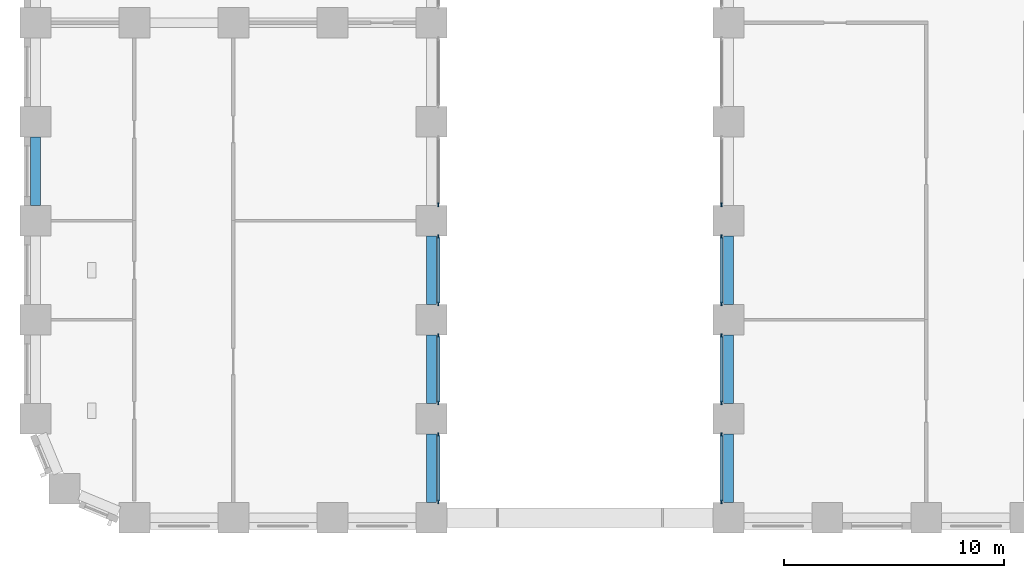
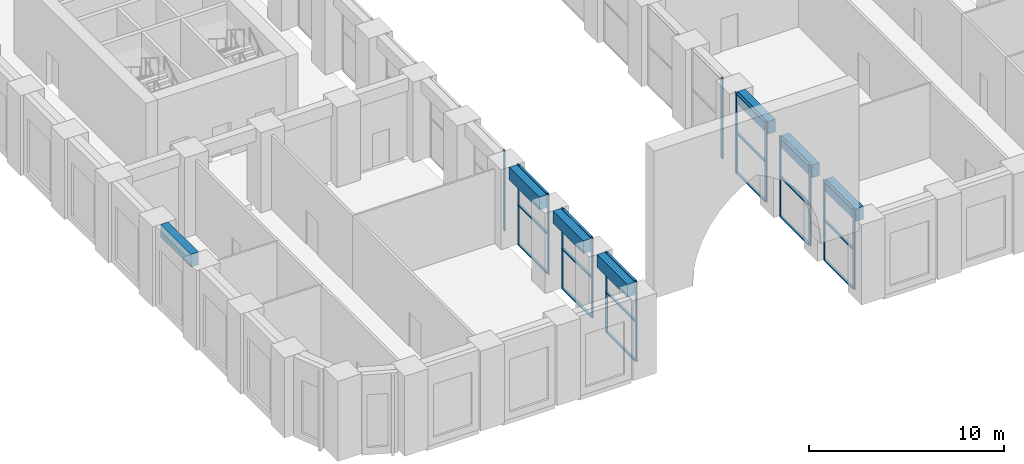
# One storey, part 2 of 25: 32 members, 7 beams, 8 elements without a shape of their own.
"""IFC4 building model written with IfcOpenShell, lengths in metres."""

from ifc_helpers import new_model, si_unit, direction, frame, origin, origin_2d, place, context, subcontext, project, spatial, rectangle, extrude, material, material_profile, profile_set, type_object, element, aggregate, save


model = new_model("IFC4")

# Units and contexts
model_context = context("Model", 3, precision=1e-05, world=origin(), true_north=direction((0.0, 1.0)))
body_context = subcontext(model_context, "Body", "Model", "MODEL_VIEW")
ifc_project = project(units=[si_unit("LENGTHUNIT", "METRE"), si_unit("AREAUNIT", "SQUARE_METRE"), si_unit("VOLUMEUNIT", "CUBIC_METRE"), si_unit("PLANEANGLEUNIT", "RADIAN"), si_unit("MASSUNIT", "GRAM", prefix="KILO")], contexts=[model_context])

# Site, building, storey
site_placement = place(None, origin())
site = spatial("IfcSite", under=ifc_project, at=site_placement, CompositionType="ELEMENT")
building_placement = place(site_placement, origin())
building = spatial("IfcBuilding", under=site, at=building_placement, Name="Girih Gate Residences", CompositionType="ELEMENT")
storey_placement = place(building_placement, frame((0.0, 0.0, 6.0)))
storey = spatial("IfcBuildingStorey", under=building, at=storey_placement, Name="L01", CompositionType="ELEMENT", Elevation=6.0)

# Curtain wall, members
ifc_material_1 = material(Name="Aluminium curtain wall frame", Category="aluminium")
curtain_wall_type = type_object("IfcCurtainWallType", Name="Curtain wall CW-2 podium amenity glazing", PredefinedType="NOTDEFINED", material=ifc_material_1)
curtain_wall_1_placement = place(storey_placement, origin())
curtain_wall_1 = element("IfcCurtainWall", 1, at=curtain_wall_1_placement, inside=storey, type_object=curtain_wall_type, Name="CW-2 Podium amenity glazing E0180_0000.0", PredefinedType="NOTDEFINED")
ifc_material_profile_1 = material_profile(ifc_material_1, rectangle(XDim=0.06005859375, YDim=0.179931640625, at=origin_2d()))
ifc_profile_set_1 = profile_set([ifc_material_profile_1], Name="Aluminium curtain wall frame")
member_type_1 = type_object("IfcMemberType", Name="Curtain wall mullion 60x180", PredefinedType="MULLION", material=ifc_profile_set_1)
member_1_placement = place(storey_placement, frame((18.31494140625, 0.72998046875, 0.0), z_axis=(0.0, 0.0, 1.0), x_axis=(-1.0, 0.0, 0.0)))
member_1 = element("IfcMember", 2, at=member_1_placement, type_object=member_type_1, Name="CW-2 mullion 1", PredefinedType="MULLION", context=body_context, shape_type="SweptSolid", body=[
    extrude(rectangle(XDim=0.06005859375, YDim=0.179931640625, at=origin_2d()), origin(), (0.0, 0.0, 1.0), 5.0),
])
member_2_placement = place(storey_placement, frame((18.31494140625, 3.77001953125, 0.0), z_axis=(0.0, 0.0, 1.0), x_axis=(-1.0, 0.0, 0.0)))
member_2 = element("IfcMember", 3, at=member_2_placement, type_object=member_type_1, Name="CW-2 mullion 2", PredefinedType="MULLION", context=body_context, shape_type="SweptSolid", body=[
    extrude(rectangle(XDim=0.06005859375, YDim=0.179931640625, at=origin_2d()), origin(), (0.0, 0.0, 1.0), 5.0),
])

curtain_wall_2_placement = place(storey_placement, origin())
curtain_wall_2 = element("IfcCurtainWall", 4, at=curtain_wall_2_placement, inside=storey, type_object=curtain_wall_type, Name="CW-2 Podium amenity glazing E0180_0000.1", PredefinedType="NOTDEFINED")
member_3_placement = place(storey_placement, frame((18.31494140625, 5.22998046875, 0.0), z_axis=(0.0, 0.0, 1.0), x_axis=(-1.0, 0.0, 0.0)))
member_3 = element("IfcMember", 5, at=member_3_placement, type_object=member_type_1, Name="CW-2 mullion 1", PredefinedType="MULLION", context=body_context, shape_type="SweptSolid", body=[
    extrude(rectangle(XDim=0.06005859375, YDim=0.179931640625, at=origin_2d()), origin(), (0.0, 0.0, 1.0), 5.0),
])
member_4_placement = place(storey_placement, frame((18.31494140625, 8.27001953125, 0.0), z_axis=(0.0, 0.0, 1.0), x_axis=(-1.0, 0.0, 0.0)))
member_4 = element("IfcMember", 6, at=member_4_placement, type_object=member_type_1, Name="CW-2 mullion 2", PredefinedType="MULLION", context=body_context, shape_type="SweptSolid", body=[
    extrude(rectangle(XDim=0.06005859375, YDim=0.179931640625, at=origin_2d()), origin(), (0.0, 0.0, 1.0), 5.0),
])

curtain_wall_3_placement = place(storey_placement, origin())
curtain_wall_3 = element("IfcCurtainWall", 7, at=curtain_wall_3_placement, inside=storey, type_object=curtain_wall_type, Name="CW-2 Podium amenity glazing E0180_0000.2", PredefinedType="NOTDEFINED")
member_5_placement = place(storey_placement, frame((18.31494140625, 9.72998046875, 0.0), z_axis=(0.0, 0.0, 1.0), x_axis=(-1.0, 0.0, 0.0)))
member_5 = element("IfcMember", 8, at=member_5_placement, type_object=member_type_1, Name="CW-2 mullion 1", PredefinedType="MULLION", context=body_context, shape_type="SweptSolid", body=[
    extrude(rectangle(XDim=0.06005859375, YDim=0.179931640625, at=origin_2d()), origin(), (0.0, 0.0, 1.0), 5.0),
])
member_6_placement = place(storey_placement, frame((18.31494140625, 12.77001953125, 0.0), z_axis=(0.0, 0.0, 1.0), x_axis=(-1.0, 0.0, 0.0)))
member_6 = element("IfcMember", 9, at=member_6_placement, type_object=member_type_1, Name="CW-2 mullion 2", PredefinedType="MULLION", context=body_context, shape_type="SweptSolid", body=[
    extrude(rectangle(XDim=0.06005859375, YDim=0.179931640625, at=origin_2d()), origin(), (0.0, 0.0, 1.0), 5.0),
])

# Curtain wall, member
curtain_wall_4_placement = place(storey_placement, origin())
curtain_wall_4 = element("IfcCurtainWall", 10, at=curtain_wall_4_placement, inside=storey, type_object=curtain_wall_type, Name="CW-2 Podium amenity glazing E0180_0000.3", PredefinedType="NOTDEFINED")
member_7_placement = place(storey_placement, frame((18.31494140625, 14.22998046875, 0.0), z_axis=(0.0, 0.0, 1.0), x_axis=(-1.0, 0.0, 0.0)))
member_7 = element("IfcMember", 11, at=member_7_placement, type_object=member_type_1, Name="CW-2 mullion 1", PredefinedType="MULLION", context=body_context, shape_type="SweptSolid", body=[
    extrude(rectangle(XDim=0.06005859375, YDim=0.179931640625, at=origin_2d()), origin(), (0.0, 0.0, 1.0), 5.0),
])
aggregate(curtain_wall_4, [member_7])

curtain_wall_5_placement = place(storey_placement, origin())
curtain_wall_5 = element("IfcCurtainWall", 12, at=curtain_wall_5_placement, inside=storey, type_object=curtain_wall_type, Name="CW-2 Podium amenity glazing W0315_0495.7", PredefinedType="NOTDEFINED")
member_8_placement = place(storey_placement, frame((31.18505859375, 14.22998046875, 0.0), z_axis=(0.0, 0.0, 1.0), x_axis=(1.0, 0.0, 0.0)))
member_8 = element("IfcMember", 13, at=member_8_placement, type_object=member_type_1, Name="CW-2 mullion 2", PredefinedType="MULLION", context=body_context, shape_type="SweptSolid", body=[
    extrude(rectangle(XDim=0.06005859375, YDim=0.179931640625, at=origin_2d()), origin(), (0.0, 0.0, 1.0), 5.0),
])
aggregate(curtain_wall_5, [member_8])

# Curtain wall, members
curtain_wall_6_placement = place(storey_placement, origin())
curtain_wall_6 = element("IfcCurtainWall", 14, at=curtain_wall_6_placement, inside=storey, type_object=curtain_wall_type, Name="CW-2 Podium amenity glazing W0315_0495.8", PredefinedType="NOTDEFINED")
member_9_placement = place(storey_placement, frame((31.18505859375, 12.77001953125, 0.0), z_axis=(0.0, 0.0, 1.0), x_axis=(1.0, 0.0, 0.0)))
member_9 = element("IfcMember", 15, at=member_9_placement, type_object=member_type_1, Name="CW-2 mullion 1", PredefinedType="MULLION", context=body_context, shape_type="SweptSolid", body=[
    extrude(rectangle(XDim=0.06005859375, YDim=0.179931640625, at=origin_2d()), origin(), (0.0, 0.0, 1.0), 5.0),
])
member_10_placement = place(storey_placement, frame((31.18505859375, 9.72998046875, 0.0), z_axis=(0.0, 0.0, 1.0), x_axis=(1.0, 0.0, 0.0)))
member_10 = element("IfcMember", 16, at=member_10_placement, type_object=member_type_1, Name="CW-2 mullion 2", PredefinedType="MULLION", context=body_context, shape_type="SweptSolid", body=[
    extrude(rectangle(XDim=0.06005859375, YDim=0.179931640625, at=origin_2d()), origin(), (0.0, 0.0, 1.0), 5.0),
])

curtain_wall_7_placement = place(storey_placement, origin())
curtain_wall_7 = element("IfcCurtainWall", 17, at=curtain_wall_7_placement, inside=storey, type_object=curtain_wall_type, Name="CW-2 Podium amenity glazing W0315_0495.9", PredefinedType="NOTDEFINED")
member_11_placement = place(storey_placement, frame((31.18505859375, 8.27001953125, 0.0), z_axis=(0.0, 0.0, 1.0), x_axis=(1.0, 0.0, 0.0)))
member_11 = element("IfcMember", 18, at=member_11_placement, type_object=member_type_1, Name="CW-2 mullion 1", PredefinedType="MULLION", context=body_context, shape_type="SweptSolid", body=[
    extrude(rectangle(XDim=0.06005859375, YDim=0.179931640625, at=origin_2d()), origin(), (0.0, 0.0, 1.0), 5.0),
])
member_12_placement = place(storey_placement, frame((31.18505859375, 5.22998046875, 0.0), z_axis=(0.0, 0.0, 1.0), x_axis=(1.0, 0.0, 0.0)))
member_12 = element("IfcMember", 19, at=member_12_placement, type_object=member_type_1, Name="CW-2 mullion 2", PredefinedType="MULLION", context=body_context, shape_type="SweptSolid", body=[
    extrude(rectangle(XDim=0.06005859375, YDim=0.179931640625, at=origin_2d()), origin(), (0.0, 0.0, 1.0), 5.0),
])

curtain_wall_8_placement = place(storey_placement, origin())
curtain_wall_8 = element("IfcCurtainWall", 20, at=curtain_wall_8_placement, inside=storey, type_object=curtain_wall_type, Name="CW-2 Podium amenity glazing W0315_0495.10", PredefinedType="NOTDEFINED")
member_13_placement = place(storey_placement, frame((31.18505859375, 3.77001953125, 0.0), z_axis=(0.0, 0.0, 1.0), x_axis=(1.0, 0.0, 0.0)))
member_13 = element("IfcMember", 21, at=member_13_placement, type_object=member_type_1, Name="CW-2 mullion 1", PredefinedType="MULLION", context=body_context, shape_type="SweptSolid", body=[
    extrude(rectangle(XDim=0.06005859375, YDim=0.179931640625, at=origin_2d()), origin(), (0.0, 0.0, 1.0), 5.0),
])
member_14_placement = place(storey_placement, frame((31.18505859375, 0.72998046875, 0.0), z_axis=(0.0, 0.0, 1.0), x_axis=(1.0, 0.0, 0.0)))
member_14 = element("IfcMember", 22, at=member_14_placement, type_object=member_type_1, Name="CW-2 mullion 2", PredefinedType="MULLION", context=body_context, shape_type="SweptSolid", body=[
    extrude(rectangle(XDim=0.06005859375, YDim=0.179931640625, at=origin_2d()), origin(), (0.0, 0.0, 1.0), 5.0),
])

# Member
ifc_material_profile_2 = material_profile(ifc_material_1, rectangle(XDim=0.139892578125, YDim=0.06005859375, at=origin_2d()))
ifc_profile_set_2 = profile_set([ifc_material_profile_2], Name="Aluminium curtain wall frame")
member_type_2 = type_object("IfcMemberType", Name="Curtain wall transom 60x140", PredefinedType="USERDEFINED", material=ifc_profile_set_2)
member_15_placement = place(storey_placement, frame((18.31494140625, 0.760009765625, 0.030029296875), z_axis=(0.0, 1.0, 0.0), x_axis=(-1.0, 0.0, 0.0)))
member_15 = element("IfcMember", 23, at=member_15_placement, type_object=member_type_2, Name="CW-2 transom 1.1", ObjectType="TRANSOM", PredefinedType="USERDEFINED", context=body_context, shape_type="SweptSolid", body=[
    extrude(rectangle(XDim=0.139892578125, YDim=0.06005859375, at=origin_2d()), origin(), (0.0, 0.0, 1.0), 2.97998046875),
])

member_16_placement = place(storey_placement, frame((18.31494140625, 0.760009765625, 2.5), z_axis=(0.0, 1.0, 0.0), x_axis=(-1.0, 0.0, 0.0)))
member_16 = element("IfcMember", 24, at=member_16_placement, type_object=member_type_2, Name="CW-2 transom 1.2", ObjectType="TRANSOM", PredefinedType="USERDEFINED", context=body_context, shape_type="SweptSolid", body=[
    extrude(rectangle(XDim=0.139892578125, YDim=0.06005859375, at=origin_2d()), origin(), (0.0, 0.0, 1.0), 2.97998046875),
])

member_17_placement = place(storey_placement, frame((18.31494140625, 0.760009765625, 4.969970703125), z_axis=(0.0, 1.0, 0.0), x_axis=(-1.0, 0.0, 0.0)))
member_17 = element("IfcMember", 25, at=member_17_placement, type_object=member_type_2, Name="CW-2 transom 1.3", ObjectType="TRANSOM", PredefinedType="USERDEFINED", context=body_context, shape_type="SweptSolid", body=[
    extrude(rectangle(XDim=0.139892578125, YDim=0.06005859375, at=origin_2d()), origin(), (0.0, 0.0, 1.0), 2.97998046875),
])

aggregate(curtain_wall_1, [member_1, member_2, member_15, member_16, member_17])

member_18_placement = place(storey_placement, frame((18.31494140625, 5.260009765625, 0.030029296875), z_axis=(0.0, 1.0, 0.0), x_axis=(-1.0, 0.0, 0.0)))
member_18 = element("IfcMember", 26, at=member_18_placement, type_object=member_type_2, Name="CW-2 transom 1.1", ObjectType="TRANSOM", PredefinedType="USERDEFINED", context=body_context, shape_type="SweptSolid", body=[
    extrude(rectangle(XDim=0.139892578125, YDim=0.06005859375, at=origin_2d()), origin(), (0.0, 0.0, 1.0), 2.97998046875),
])

member_19_placement = place(storey_placement, frame((18.31494140625, 5.260009765625, 2.5), z_axis=(0.0, 1.0, 0.0), x_axis=(-1.0, 0.0, 0.0)))
member_19 = element("IfcMember", 27, at=member_19_placement, type_object=member_type_2, Name="CW-2 transom 1.2", ObjectType="TRANSOM", PredefinedType="USERDEFINED", context=body_context, shape_type="SweptSolid", body=[
    extrude(rectangle(XDim=0.139892578125, YDim=0.06005859375, at=origin_2d()), origin(), (0.0, 0.0, 1.0), 2.97998046875),
])

member_20_placement = place(storey_placement, frame((18.31494140625, 5.260009765625, 4.969970703125), z_axis=(0.0, 1.0, 0.0), x_axis=(-1.0, 0.0, 0.0)))
member_20 = element("IfcMember", 28, at=member_20_placement, type_object=member_type_2, Name="CW-2 transom 1.3", ObjectType="TRANSOM", PredefinedType="USERDEFINED", context=body_context, shape_type="SweptSolid", body=[
    extrude(rectangle(XDim=0.139892578125, YDim=0.06005859375, at=origin_2d()), origin(), (0.0, 0.0, 1.0), 2.97998046875),
])

aggregate(curtain_wall_2, [member_3, member_4, member_18, member_19, member_20])

member_21_placement = place(storey_placement, frame((18.31494140625, 9.760009765625, 0.030029296875), z_axis=(0.0, 1.0, 0.0), x_axis=(-1.0, 0.0, 0.0)))
member_21 = element("IfcMember", 29, at=member_21_placement, type_object=member_type_2, Name="CW-2 transom 1.1", ObjectType="TRANSOM", PredefinedType="USERDEFINED", context=body_context, shape_type="SweptSolid", body=[
    extrude(rectangle(XDim=0.139892578125, YDim=0.06005859375, at=origin_2d()), origin(), (0.0, 0.0, 1.0), 2.97998046875),
])

member_22_placement = place(storey_placement, frame((18.31494140625, 9.760009765625, 2.5), z_axis=(0.0, 1.0, 0.0), x_axis=(-1.0, 0.0, 0.0)))
member_22 = element("IfcMember", 30, at=member_22_placement, type_object=member_type_2, Name="CW-2 transom 1.2", ObjectType="TRANSOM", PredefinedType="USERDEFINED", context=body_context, shape_type="SweptSolid", body=[
    extrude(rectangle(XDim=0.139892578125, YDim=0.06005859375, at=origin_2d()), origin(), (0.0, 0.0, 1.0), 2.97998046875),
])

member_23_placement = place(storey_placement, frame((18.31494140625, 9.760009765625, 4.969970703125), z_axis=(0.0, 1.0, 0.0), x_axis=(-1.0, 0.0, 0.0)))
member_23 = element("IfcMember", 31, at=member_23_placement, type_object=member_type_2, Name="CW-2 transom 1.3", ObjectType="TRANSOM", PredefinedType="USERDEFINED", context=body_context, shape_type="SweptSolid", body=[
    extrude(rectangle(XDim=0.139892578125, YDim=0.06005859375, at=origin_2d()), origin(), (0.0, 0.0, 1.0), 2.97998046875),
])

aggregate(curtain_wall_3, [member_5, member_6, member_21, member_22, member_23])

member_24_placement = place(storey_placement, frame((31.18505859375, 12.739990234375, 0.030029296875), z_axis=(0.0, -1.0, 0.0), x_axis=(1.0, 0.0, 0.0)))
member_24 = element("IfcMember", 32, at=member_24_placement, type_object=member_type_2, Name="CW-2 transom 1.1", ObjectType="TRANSOM", PredefinedType="USERDEFINED", context=body_context, shape_type="SweptSolid", body=[
    extrude(rectangle(XDim=0.139892578125, YDim=0.06005859375, at=origin_2d()), origin(), (0.0, 0.0, 1.0), 2.97998046875),
])

member_25_placement = place(storey_placement, frame((31.18505859375, 12.739990234375, 2.5), z_axis=(0.0, -1.0, 0.0), x_axis=(1.0, 0.0, 0.0)))
member_25 = element("IfcMember", 33, at=member_25_placement, type_object=member_type_2, Name="CW-2 transom 1.2", ObjectType="TRANSOM", PredefinedType="USERDEFINED", context=body_context, shape_type="SweptSolid", body=[
    extrude(rectangle(XDim=0.139892578125, YDim=0.06005859375, at=origin_2d()), origin(), (0.0, 0.0, 1.0), 2.97998046875),
])

member_26_placement = place(storey_placement, frame((31.18505859375, 12.739990234375, 4.969970703125), z_axis=(0.0, -1.0, 0.0), x_axis=(1.0, 0.0, 0.0)))
member_26 = element("IfcMember", 34, at=member_26_placement, type_object=member_type_2, Name="CW-2 transom 1.3", ObjectType="TRANSOM", PredefinedType="USERDEFINED", context=body_context, shape_type="SweptSolid", body=[
    extrude(rectangle(XDim=0.139892578125, YDim=0.06005859375, at=origin_2d()), origin(), (0.0, 0.0, 1.0), 2.97998046875),
])

aggregate(curtain_wall_6, [member_9, member_10, member_24, member_25, member_26])

member_27_placement = place(storey_placement, frame((31.18505859375, 8.239990234375, 0.030029296875), z_axis=(0.0, -1.0, 0.0), x_axis=(1.0, 0.0, 0.0)))
member_27 = element("IfcMember", 35, at=member_27_placement, type_object=member_type_2, Name="CW-2 transom 1.1", ObjectType="TRANSOM", PredefinedType="USERDEFINED", context=body_context, shape_type="SweptSolid", body=[
    extrude(rectangle(XDim=0.139892578125, YDim=0.06005859375, at=origin_2d()), origin(), (0.0, 0.0, 1.0), 2.97998046875),
])

member_28_placement = place(storey_placement, frame((31.18505859375, 8.239990234375, 2.5), z_axis=(0.0, -1.0, 0.0), x_axis=(1.0, 0.0, 0.0)))
member_28 = element("IfcMember", 36, at=member_28_placement, type_object=member_type_2, Name="CW-2 transom 1.2", ObjectType="TRANSOM", PredefinedType="USERDEFINED", context=body_context, shape_type="SweptSolid", body=[
    extrude(rectangle(XDim=0.139892578125, YDim=0.06005859375, at=origin_2d()), origin(), (0.0, 0.0, 1.0), 2.97998046875),
])

member_29_placement = place(storey_placement, frame((31.18505859375, 8.239990234375, 4.969970703125), z_axis=(0.0, -1.0, 0.0), x_axis=(1.0, 0.0, 0.0)))
member_29 = element("IfcMember", 37, at=member_29_placement, type_object=member_type_2, Name="CW-2 transom 1.3", ObjectType="TRANSOM", PredefinedType="USERDEFINED", context=body_context, shape_type="SweptSolid", body=[
    extrude(rectangle(XDim=0.139892578125, YDim=0.06005859375, at=origin_2d()), origin(), (0.0, 0.0, 1.0), 2.97998046875),
])

aggregate(curtain_wall_7, [member_11, member_12, member_27, member_28, member_29])

member_30_placement = place(storey_placement, frame((31.18505859375, 3.739990234375, 0.030029296875), z_axis=(0.0, -1.0, 0.0), x_axis=(1.0, 0.0, 0.0)))
member_30 = element("IfcMember", 38, at=member_30_placement, type_object=member_type_2, Name="CW-2 transom 1.1", ObjectType="TRANSOM", PredefinedType="USERDEFINED", context=body_context, shape_type="SweptSolid", body=[
    extrude(rectangle(XDim=0.139892578125, YDim=0.06005859375, at=origin_2d()), origin(), (0.0, 0.0, 1.0), 2.97998046875),
])

member_31_placement = place(storey_placement, frame((31.18505859375, 3.739990234375, 2.5), z_axis=(0.0, -1.0, 0.0), x_axis=(1.0, 0.0, 0.0)))
member_31 = element("IfcMember", 39, at=member_31_placement, type_object=member_type_2, Name="CW-2 transom 1.2", ObjectType="TRANSOM", PredefinedType="USERDEFINED", context=body_context, shape_type="SweptSolid", body=[
    extrude(rectangle(XDim=0.139892578125, YDim=0.06005859375, at=origin_2d()), origin(), (0.0, 0.0, 1.0), 2.97998046875),
])

member_32_placement = place(storey_placement, frame((31.18505859375, 3.739990234375, 4.969970703125), z_axis=(0.0, -1.0, 0.0), x_axis=(1.0, 0.0, 0.0)))
member_32 = element("IfcMember", 40, at=member_32_placement, type_object=member_type_2, Name="CW-2 transom 1.3", ObjectType="TRANSOM", PredefinedType="USERDEFINED", context=body_context, shape_type="SweptSolid", body=[
    extrude(rectangle(XDim=0.139892578125, YDim=0.06005859375, at=origin_2d()), origin(), (0.0, 0.0, 1.0), 2.97998046875),
])

aggregate(curtain_wall_8, [member_13, member_14, member_30, member_31, member_32])

# Beams
ifc_material_2 = material(Name="Concrete C60/75", Category="concrete")
ifc_material_profile_3 = material_profile(ifc_material_2, rectangle(XDim=0.449951171875, YDim=0.800048828125, at=origin_2d()))
ifc_profile_set_3 = profile_set([ifc_material_profile_3], Name="Concrete C60/75")
beam_type = type_object("IfcBeamType", Name="Spandrel girder RC 450x800 Concrete C60/75", PredefinedType="BEAM", material=ifc_profile_set_3)
for number, where, z_axis, x_axis, name in (
    (41, (0.0, 17.300048828125, 4.60009765625), (0.0, -1.0, 0.0), (1.0, 0.0, 0.0), "Spandrel girder SP-P1E-P1D L01"),
    (42, (18.0, 0.699951171875, 4.60009765625), (0.0, 1.0, 0.0), (-1.0, 0.0, 0.0), "Spandrel girder SP-P5A-P5B L01"),
    (43, (18.0, 5.199951171875, 4.60009765625), (0.0, 1.0, 0.0), (-1.0, 0.0, 0.0), "Spandrel girder SP-P5B-P5C L01"),
    (44, (18.0, 9.699951171875, 4.60009765625), (0.0, 1.0, 0.0), (-1.0, 0.0, 0.0), "Spandrel girder SP-P5C-P5D L01"),
    (45, (31.5, 12.800048828125, 4.60009765625), (0.0, -1.0, 0.0), (1.0, 0.0, 0.0), "Spandrel girder SP-P8D-P8C L01"),
    (46, (31.5, 8.300048828125, 4.60009765625), (0.0, -1.0, 0.0), (1.0, 0.0, 0.0), "Spandrel girder SP-P8C-P8B L01"),
    (47, (31.5, 3.800048828125, 4.60009765625), (0.0, -1.0, 0.0), (1.0, 0.0, 0.0), "Spandrel girder SP-P8B-P8A L01"),
):
    element("IfcBeam", number, at=place(storey_placement, frame(where, z_axis=z_axis, x_axis=x_axis)), inside=storey, type_object=beam_type, Name=name, PredefinedType="BEAM", context=body_context, shape_type="SweptSolid", body=[
        extrude(rectangle(XDim=0.449951171875, YDim=0.800048828125, at=origin_2d()), origin(), (0.0, 0.0, 1.0), 3.10009765625),
    ])

save(model, "model.ifc")
